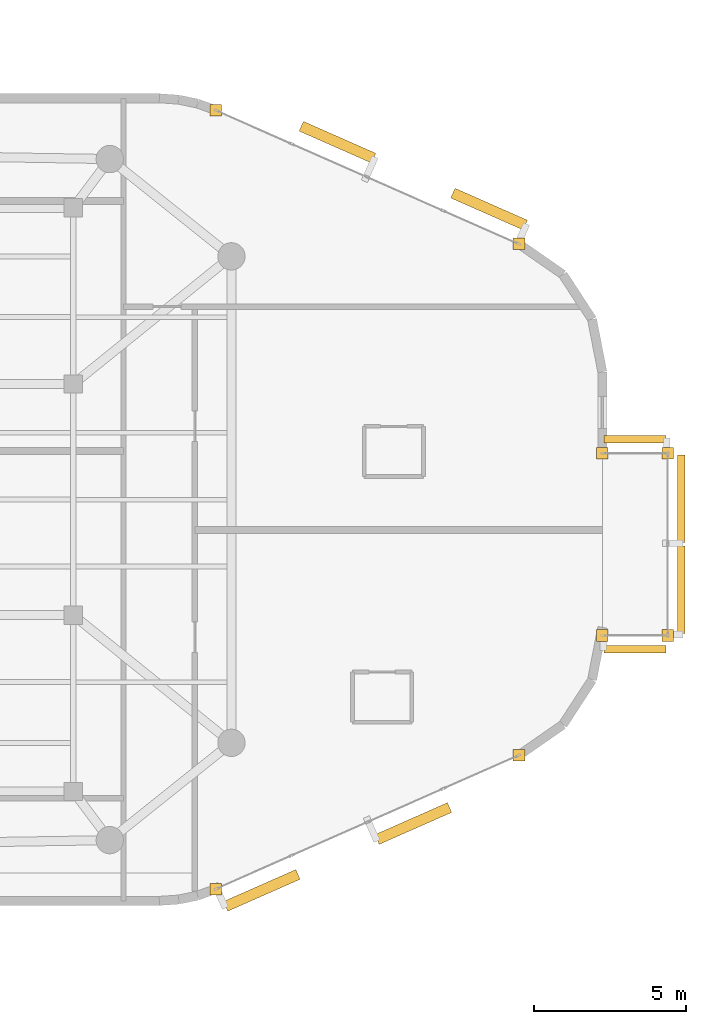
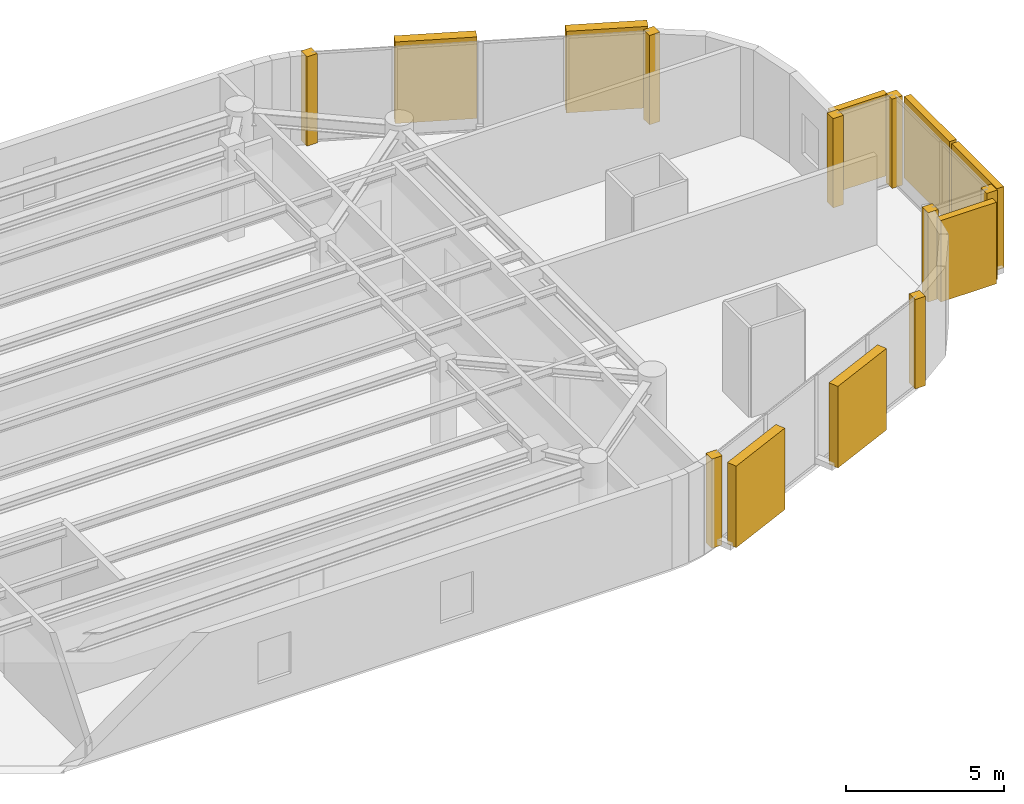
# One storey, part 13 of 13: 8 coverings, 8 shading devices.
"""IFC4 building model written with IfcOpenShell, lengths in metres."""

from ifc_helpers import new_model, si_unit, direction, frame, origin, origin_2d, place, context, subcontext, project, spatial, rectangle, extrude, material, layer, layer_set, type_object, element, save


model = new_model("IFC4")

# Units and contexts
model_context = context("Model", 3, precision=1e-05, world=origin(), true_north=direction((0.0, 1.0)))
body_context = subcontext(model_context, "Body", "Model", "MODEL_VIEW")
ifc_project = project(units=[si_unit("LENGTHUNIT", "METRE"), si_unit("AREAUNIT", "SQUARE_METRE"), si_unit("VOLUMEUNIT", "CUBIC_METRE"), si_unit("PLANEANGLEUNIT", "RADIAN"), si_unit("MASSUNIT", "GRAM", prefix="KILO")], contexts=[model_context])

# Site, building, storey
site_placement = place(None, origin())
site = spatial("IfcSite", under=ifc_project, at=site_placement, CompositionType="ELEMENT")
building_placement = place(site_placement, origin())
building = spatial("IfcBuilding", under=site, at=building_placement, Name="An Khanh Terracotta Commons", CompositionType="ELEMENT")
storey_placement = place(building_placement, frame((0.0, 0.0, 266.10009765625)))
storey = spatial("IfcBuildingStorey", under=building, at=storey_placement, Name="L69", CompositionType="ELEMENT", Elevation=266.10009765625)

# Coverings
ifc_material_1 = material(Name="Fired Terracotta Rainscreen Cladding", Category="masonry")
ifc_layer = layer(ifc_material_1, 0.080078125, Name="Fired Terracotta Rainscreen Cladding")
ifc_layer_set = layer_set([ifc_layer], Name="Fired Terracotta Rainscreen Cladding")
covering_type = type_object("IfcCoveringType", Name="COV-JAMB-TERRA", PredefinedType="CLADDING", material=ifc_layer_set)
for number, where, z_axis, x_axis, name in (
    (1, (62.886962890625, 11.19091796875, 0.0), (0.0, 0.0, 1.0), (1.0, 0.0, 0.0), "L69 CW-03 Curtain-Wall Jamb Closure JA"),
    (2, (72.85693359375, 15.590087890625, 0.0), (0.0, 0.0, 1.0), (1.0, 0.0, 0.0), "L69 CW-03 Curtain-Wall Jamb Closure JB"),
    (3, (77.75, 19.530029296875, 0.0), (0.0, 0.0, 1.0), (1.0, 0.0, 0.0), "L69 CW-04 Curtain-Wall Jamb Closure JA"),
    (4, (77.75, 25.530029296875, 0.0), (0.0, 0.0, 1.0), (1.0, 0.0, 0.0), "L69 CW-04 Curtain-Wall Jamb Closure JB"),
    (5, (75.60009765625, 19.530029296875, 0.0), (0.0, 0.0, 1.0), (1.0, 0.0, 0.0), "L69 CW-04 Curtain-Wall Jamb Closure JA"),
    (6, (75.60009765625, 25.530029296875, 0.0), (0.0, 0.0, 1.0), (1.0, 0.0, 0.0), "L69 CW-04 Curtain-Wall Jamb Closure JB"),
    (7, (72.85693359375, 32.409912109375, 0.0), (0.0, 0.0, 1.0), (1.0, 0.0, 0.0), "L69 CW-03 Curtain-Wall Jamb Closure JA"),
    (8, (62.886962890625, 36.80908203125, 0.0), (0.0, 0.0, 1.0), (1.0, 0.0, 0.0), "L69 CW-03 Curtain-Wall Jamb Closure JB"),
):
    element("IfcCovering", number, at=place(storey_placement, frame(where, z_axis=z_axis, x_axis=x_axis)), inside=storey, type_object=covering_type, Name=name, PredefinedType="CLADDING", context=body_context, shape_type="SweptSolid", body=[
        extrude(rectangle(XDim=0.3798828125, YDim=0.3798828125, at=origin_2d()), origin(), (0.0, 0.0, 1.0), 3.449951171875),
    ])

# Shading devices
ifc_material_2 = material(Name="Warm Hardwood Timber-Finish Aluminium", Category="wood")
shading_device_type_1 = type_object("IfcShadingDeviceType", Name="Shifted Box Timber-Toned Louvre Screen", PredefinedType="USERDEFINED", material=ifc_material_2)
for number, where, z_axis, x_axis, name in (
    (9, (78.199951171875, 21.030029296875, 0.14990234375), (0.0, 0.0, 1.0), (0.0, 1.0, 0.0), "L69 Louvre Screen 1"),
    (10, (78.199951171875, 24.030029296875, 0.14990234375), (0.0, 0.0, 1.0), (0.0, 1.0, 0.0), "L69 Louvre Screen 2"),
):
    element("IfcShadingDevice", number, at=place(storey_placement, frame(where, z_axis=z_axis, x_axis=x_axis)), inside=storey, type_object=shading_device_type_1, Name=name, ObjectType="LOUVRE", PredefinedType="USERDEFINED", context=body_context, shape_type="SweptSolid", body=[
        extrude(rectangle(XDim=2.8798828125, YDim=0.25, at=origin_2d()), origin(), (0.0, 0.0, 1.0), 3.14990234375),
    ])
for number, where, z_axis, x_axis, name in (
    (11, (76.675048828125, 19.080078125, 0.14990234375), (0.0, 0.0, 1.0), (1.0, 0.0, 0.0), "L69 Louvre Screen 1"),
    (12, (76.675048828125, 25.97998046875, 0.14990234375), (0.0, 0.0, 1.0), (-1.0, 0.0, 0.0), "L69 Louvre Screen 1"),
):
    element("IfcShadingDevice", number, at=place(storey_placement, frame(where, z_axis=z_axis, x_axis=x_axis)), inside=storey, type_object=shading_device_type_1, Name=name, ObjectType="LOUVRE", PredefinedType="USERDEFINED", context=body_context, shape_type="SweptSolid", body=[
        extrude(rectangle(XDim=2.030029296875, YDim=0.25, at=origin_2d()), origin(), (0.0, 0.0, 1.0), 3.14990234375),
    ])
ifc_material_3 = material(Name="Extruded Fired Terracotta", Category="masonry")
shading_device_type_2 = type_object("IfcShadingDeviceType", Name="Terracotta Baguette Screen Assembly", PredefinedType="USERDEFINED", material=ifc_material_3)
for number, where, z_axis, x_axis, name in (
    (13, (64.39599609375, 11.14599609375, 0.14990234375), (0.0, 0.0, 1.0), (0.914901853201, 0.403676354285, 0.0), "L69 Terracotta Baguette Screen 1"),
    (14, (69.381103515625, 13.345947265625, 0.14990234375), (0.0, 0.0, 1.0), (0.914901853201, 0.403676354285, 0.0), "L69 Terracotta Baguette Screen 3"),
    (15, (71.873046875, 33.554931640625, 0.14990234375), (0.0, 0.0, 1.0), (-0.914901853201, 0.403676354285, 0.0), "L69 Terracotta Baguette Screen 1"),
    (16, (66.887939453125, 35.75390625, 0.14990234375), (0.0, 0.0, 1.0), (-0.914901853201, 0.403676354285, 0.0), "L69 Terracotta Baguette Screen 3"),
):
    element("IfcShadingDevice", number, at=place(storey_placement, frame(where, z_axis=z_axis, x_axis=x_axis)), inside=storey, type_object=shading_device_type_2, Name=name, ObjectType="BAGUETTE", PredefinedType="USERDEFINED", context=body_context, shape_type="SweptSolid", body=[
        extrude(rectangle(XDim=2.60400390625, YDim=0.35009765625, at=origin_2d()), origin(), (0.0, 0.0, 1.0), 3.14990234375),
    ])

save(model, "model.ifc")
